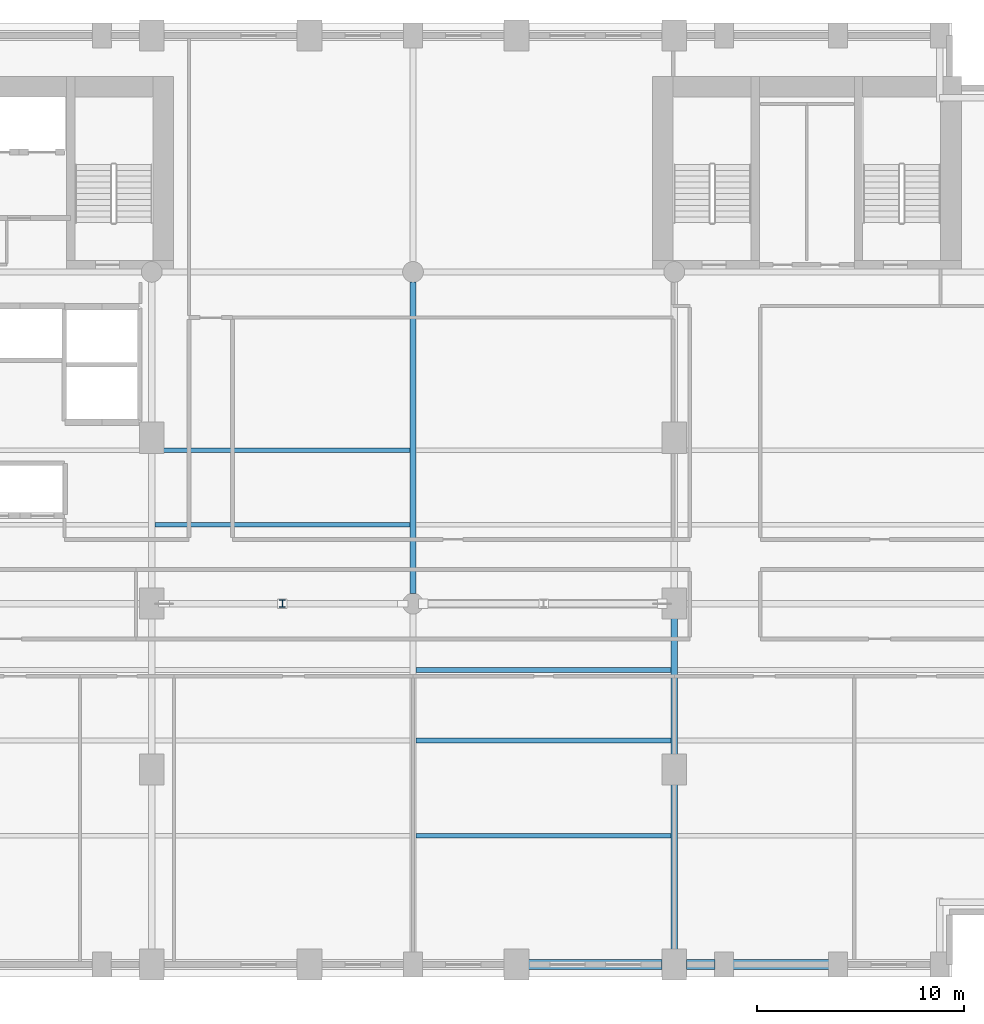
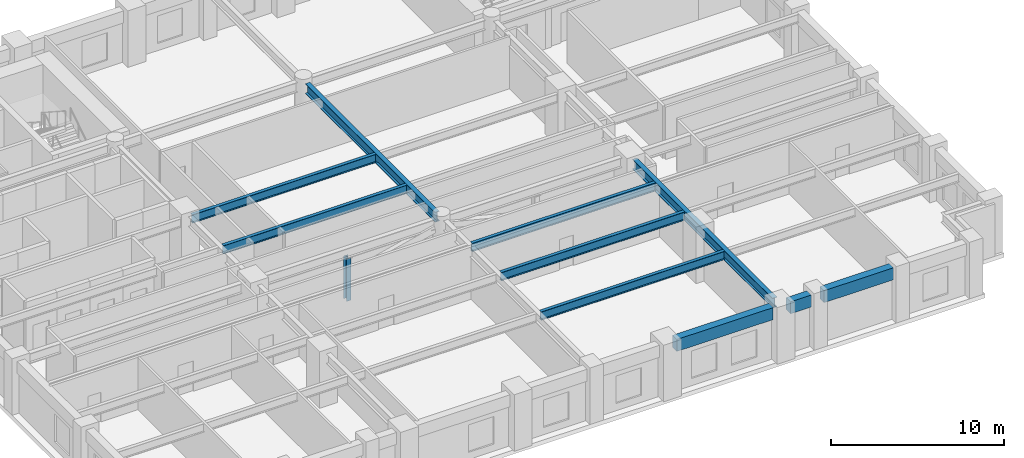
# One storey, part 2 of 10: 10 beams, 1 member.
"""IFC4 building model written with IfcOpenShell, lengths in metres."""

from ifc_helpers import new_model, si_unit, direction, frame, origin, origin_2d, place, context, subcontext, project, spatial, rectangle, i_section, extrude, material, material_profile, profile_set, type_object, element, save


model = new_model("IFC4")

# Units and contexts
model_context = context("Model", 3, precision=1e-05, world=origin(), true_north=direction((0.0, 1.0)))
body_context = subcontext(model_context, "Body", "Model", "MODEL_VIEW")
ifc_project = project(units=[si_unit("LENGTHUNIT", "METRE"), si_unit("AREAUNIT", "SQUARE_METRE"), si_unit("VOLUMEUNIT", "CUBIC_METRE"), si_unit("PLANEANGLEUNIT", "RADIAN"), si_unit("MASSUNIT", "GRAM", prefix="KILO")], contexts=[model_context])

# Site, building, storey
site_placement = place(None, origin())
site = spatial("IfcSite", under=ifc_project, at=site_placement, CompositionType="ELEMENT")
building_placement = place(site_placement, origin())
building = spatial("IfcBuilding", under=site, at=building_placement, Name="Sulina Concourse Tower", CompositionType="ELEMENT")
storey_placement = place(building_placement, frame((0.0, 0.0, 54.60009765625)))
storey = spatial("IfcBuildingStorey", under=building, at=storey_placement, Name="L13", CompositionType="ELEMENT", Elevation=54.60009765625)

# Beams
ifc_material_1 = material(Name="Steel S355", Category="steel")
ifc_material_profile_1 = material_profile(ifc_material_1, i_section(OverallWidth=0.219970703125, OverallDepth=0.60009765625, WebThickness=0.011962890625, FlangeThickness=0.01904296875, at=origin_2d()), Name="IPE 600")
ifc_profile_set_1 = profile_set([ifc_material_profile_1], Name="Steel S355")
beam_type_1 = type_object("IfcBeamType", Name="Composite Floor Joist IPE600", PredefinedType="JOIST", material=ifc_profile_set_1)
for number, where, z_axis, x_axis, name in (
    (1, (29.14990234375, 6.800048828125, 3.39990234375), (1.0, 0.0, 0.0), (0.0, 1.0, 0.0), "FJ-J06-3-L13"),
    (2, (29.14990234375, 11.39990234375, 3.39990234375), (1.0, 0.0, 0.0), (0.0, 1.0, 0.0), "FJ-J11-3-L13"),
    (3, (29.14990234375, 14.800048828125, 3.39990234375), (1.0, 0.0, 0.0), (0.0, 1.0, 0.0), "FJ-J15-3-L13"),
    (4, (16.550048828125, 21.800048828125, 3.39990234375), (1.0, 0.0, 0.0), (0.0, 1.0, 0.0), "FJ-J22-2-L13"),
    (5, (16.550048828125, 25.39990234375, 3.39990234375), (1.0, 0.0, 0.0), (0.0, 1.0, 0.0), "FJ-J25-2-L13"),
):
    element("IfcBeam", number, at=place(storey_placement, frame(where, z_axis=z_axis, x_axis=x_axis)), inside=storey, type_object=beam_type_1, Name=name, PredefinedType="JOIST", context=body_context, shape_type="SweptSolid", body=[
        extrude(i_section(OverallWidth=0.219970703125, OverallDepth=0.60009765625, WebThickness=0.011962890625, FlangeThickness=0.01904296875, at=origin_2d()), origin(), (0.0, 0.0, 1.0), 12.300048828125),
    ])
ifc_material_2 = material(Name="Steel S355", Category="steel")
ifc_material_profile_2 = material_profile(ifc_material_2, i_section(OverallWidth=0.300048828125, OverallDepth=0.699951171875, WebThickness=0.01708984375, FlangeThickness=0.031982421875, at=origin_2d()), Name="HE 700 B")
ifc_profile_set_2 = profile_set([ifc_material_profile_2], Name="Steel S355")
beam_type_2 = type_object("IfcBeamType", Name="Floor Primary Girder Zone 1 HE700B", PredefinedType="BEAM", material=ifc_profile_set_2)
beam_1_placement = place(storey_placement, frame((29.0, 18.47998046875, 3.349853515625), z_axis=(0.0, 1.0, 0.0), x_axis=(-1.0, 0.0, 0.0)))
element("IfcBeam", 6, at=beam_1_placement, inside=storey, type_object=beam_type_2, Name="FG-NSB-29-L13", PredefinedType="BEAM", context=body_context, shape_type="SweptSolid", body=[
    extrude(i_section(OverallWidth=0.300048828125, OverallDepth=0.699951171875, WebThickness=0.01708984375, FlangeThickness=0.031982421875, at=origin_2d()), origin(), (0.0, 0.0, 1.0), 15.0400390625),
])
beam_2_placement = place(storey_placement, frame((41.60009765625, 1.179931640625, 3.349853515625), z_axis=(0.0, 1.0, 0.0), x_axis=(-1.0, 0.0, 0.0)))
element("IfcBeam", 7, at=beam_2_placement, inside=storey, type_object=beam_type_2, Name="FG-NSA-41-L13", PredefinedType="BEAM", context=body_context, shape_type="SweptSolid", body=[
    extrude(i_section(OverallWidth=0.300048828125, OverallDepth=0.699951171875, WebThickness=0.01708984375, FlangeThickness=0.031982421875, at=origin_2d()), origin(), (0.0, 0.0, 1.0), 16.239990234375),
])
ifc_material_3 = material(Name="Precast concrete C50/60", Category="concrete")
ifc_material_profile_3 = material_profile(ifc_material_3, rectangle(XDim=0.5, YDim=0.85009765625, at=origin_2d()), Name="RC 500x850")
ifc_profile_set_3 = profile_set([ifc_material_profile_3], Name="Precast concrete C50/60")
beam_type_3 = type_object("IfcBeamType", Name="Lower Precast Spandrel Edge Beam 500x850", PredefinedType="BEAM", material=ifc_profile_set_3)
beam_3_placement = place(storey_placement, frame((34.580078125, 0.60009765625, 3.27490234375), z_axis=(1.0, 0.0, 0.0), x_axis=(0.0, 1.0, 0.0)))
element("IfcBeam", 8, at=beam_3_placement, inside=storey, type_object=beam_type_3, Name="SP-S7-L13", PredefinedType="BEAM", context=body_context, shape_type="SweptSolid", body=[
    extrude(rectangle(XDim=0.5, YDim=0.85009765625, at=origin_2d()), origin(), (0.0, 0.0, 1.0), 6.43994140625),
])
beam_4_placement = place(storey_placement, frame((42.179931640625, 0.60009765625, 3.27490234375), z_axis=(1.0, 0.0, 0.0), x_axis=(0.0, 1.0, 0.0)))
element("IfcBeam", 9, at=beam_4_placement, inside=storey, type_object=beam_type_3, Name="SP-S8-L13", PredefinedType="BEAM", context=body_context, shape_type="SweptSolid", body=[
    extrude(rectangle(XDim=0.5, YDim=0.85009765625, at=origin_2d()), origin(), (0.0, 0.0, 1.0), 1.39013671875),
])
beam_5_placement = place(storey_placement, frame((44.429931640625, 0.60009765625, 3.27490234375), z_axis=(1.0, 0.0, 0.0), x_axis=(0.0, 1.0, 0.0)))
element("IfcBeam", 10, at=beam_5_placement, inside=storey, type_object=beam_type_3, Name="SP-S9-L13", PredefinedType="BEAM", context=body_context, shape_type="SweptSolid", body=[
    extrude(rectangle(XDim=0.5, YDim=0.85009765625, at=origin_2d()), origin(), (0.0, 0.0, 1.0), 4.64013671875),
])

# Member
ifc_material_4 = material(Name="Steel S355", Category="steel")
ifc_material_profile_4 = material_profile(ifc_material_4, i_section(OverallWidth=0.300048828125, OverallDepth=0.360107421875, WebThickness=0.012451171875, FlangeThickness=0.0224609375, at=origin_2d()), Name="HE 360 B")
ifc_profile_set_4 = profile_set([ifc_material_profile_4], Name="Steel S355")
member_type = type_object("IfcMemberType", Name="Truss Vertical Post Strut HE360B", PredefinedType="STRUT", material=ifc_profile_set_4)
member_placement = place(storey_placement, frame((22.699951171875, 18.0, 0.0048828125), z_axis=(0.0, 0.0, 1.0), x_axis=(1.0, 0.0, 0.0)))
element("IfcMember", 11, at=member_placement, inside=storey, type_object=member_type, Name="LBT-VP-1-L13", PredefinedType="STRUT", context=body_context, shape_type="SweptSolid", body=[
    extrude(i_section(OverallWidth=0.300048828125, OverallDepth=0.360107421875, WebThickness=0.012451171875, FlangeThickness=0.0224609375, at=origin_2d()), origin(), (0.0, 0.0, 1.0), 3.005126953125),
])

save(model, "model.ifc")
